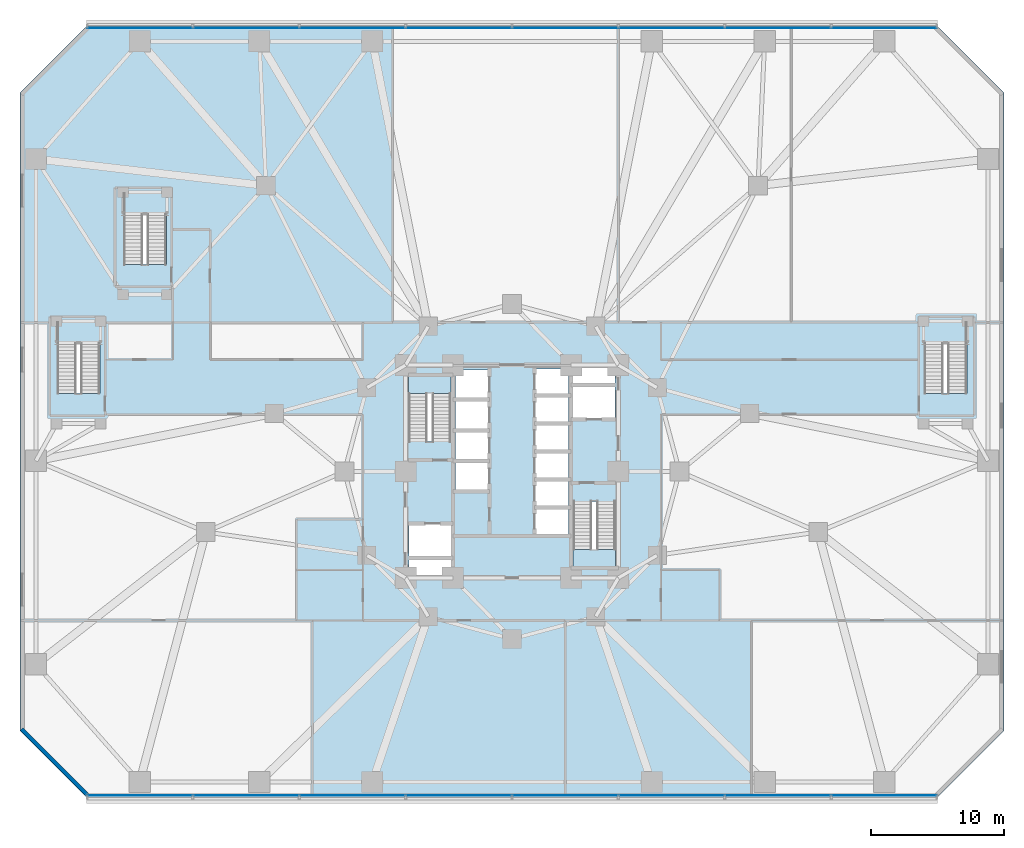
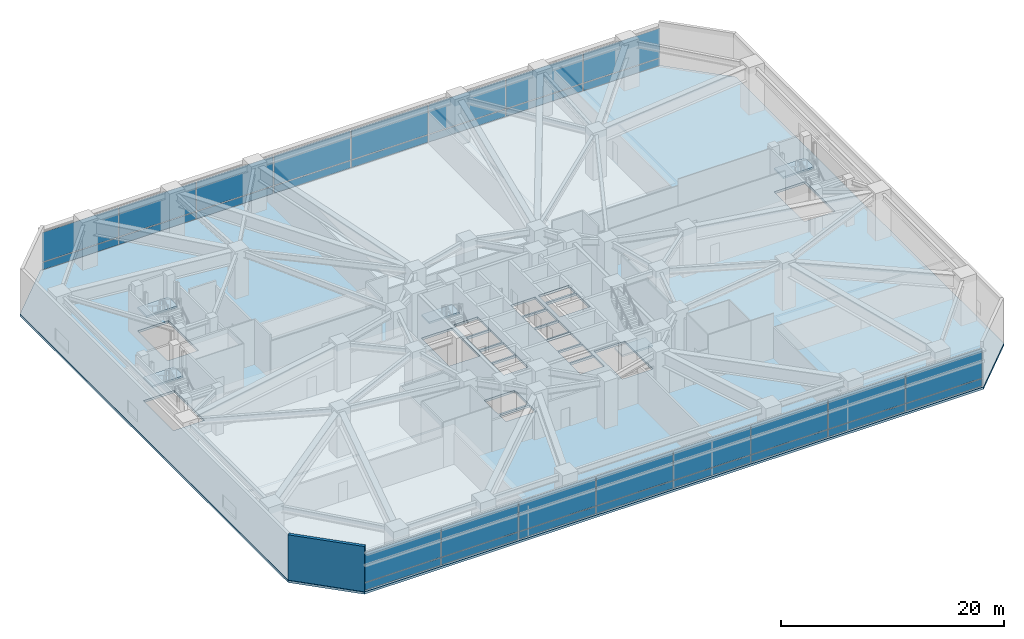
# One storey, part 14 of 28: 32 plates, 6 slabs, 1 wall, 7 elements without a shape of their own.
"""IFC4 building model written with IfcOpenShell, lengths in metres."""

from ifc_helpers import new_model, si_unit, direction, frame, frame_2d, origin, origin_2d, place, context, subcontext, project, spatial, polyline, rectangle, outline, extrude, material, layer, layer_set, type_object, element, aggregate, save


model = new_model("IFC4")

# Units and contexts
model_context = context("Model", 3, precision=1e-05, world=origin(), true_north=direction((0.0, 1.0)))
body_context = subcontext(model_context, "Body", "Model", "MODEL_VIEW")
ifc_project = project(units=[si_unit("LENGTHUNIT", "METRE"), si_unit("AREAUNIT", "SQUARE_METRE"), si_unit("VOLUMEUNIT", "CUBIC_METRE"), si_unit("PLANEANGLEUNIT", "RADIAN"), si_unit("MASSUNIT", "GRAM", prefix="KILO")], contexts=[model_context])

# Site, building, storey
site_placement = place(None, origin())
site = spatial("IfcSite", under=ifc_project, at=site_placement, CompositionType="ELEMENT")
building_placement = place(site_placement, origin())
building = spatial("IfcBuilding", under=site, at=building_placement, Name="Terralouvre Media Tower", CompositionType="ELEMENT")
storey_placement = place(building_placement, frame((0.0, 0.0, 10.39990234375)))
storey = spatial("IfcBuildingStorey", under=building, at=storey_placement, Name="L02", CompositionType="ELEMENT", Elevation=10.39990234375)

# Slab
ifc_material_1 = material(Name="Concrete C45/55", Category="concrete")
ifc_layer_1 = layer(ifc_material_1, 0.25, Name="Podium Acoustic Studio Slab S-POD250")
ifc_layer_set_1 = layer_set([ifc_layer_1], Name="Concrete C45/55")
slab_type_1 = type_object("IfcSlabType", Name="Podium Acoustic Studio Slab S-POD250", PredefinedType="FLOOR", material=ifc_layer_set_1)
slab_1_placement = place(storey_placement, frame((0.0, 0.0, -0.25)))
element("IfcSlab", 1, at=slab_1_placement, inside=storey, type_object=slab_type_1, Name="L02 Structural Floor Slab", PredefinedType="FLOOR", context=body_context, shape_type="SweptSolid", body=[
    extrude(outline(polyline([(-32.0, -24.5), (32.0, -24.5), (37.0, -19.5), (37.0, 28.5), (32.0, 33.5), (-32.0, 33.5), (-37.0, 28.5), (-37.0, -19.5), (-32.0, -24.5)]), holes=[polyline([(-4.60009765625, -7.800048828125), (-7.75, -7.800048828125), (-7.75, -6.60009765625), (-4.60009765625, -6.60009765625), (-4.60009765625, -7.800048828125)]), polyline([(-4.60009765625, -6.39990234375), (-7.75, -6.39990234375), (-7.75, -3.949951171875), (-4.60009765625, -3.949951171875), (-4.60009765625, -6.39990234375)]), polyline([(-1.75, -1.419921875), (-4.25, -1.419921875), (-4.25, 0.719970703125), (-1.75, 0.719970703125), (-1.75, -1.419921875)]), polyline([(4.25, -0.52001953125), (1.75, -0.52001953125), (1.75, 1.419921875), (4.25, 1.419921875), (4.25, -0.52001953125)]), polyline([(-1.75, 0.8798828125), (-4.25, 0.8798828125), (-4.25, 3.02001953125), (-1.75, 3.02001953125), (-1.75, 0.8798828125)]), polyline([(-1.75, 3.179931640625), (-4.25, 3.179931640625), (-4.25, 5.320068359375), (-1.75, 5.320068359375), (-1.75, 3.179931640625)]), polyline([(-4.60009765625, 2.2451171875), (-7.780029296875, 2.2451171875), (-7.780029296875, 7.260009765625), (-4.60009765625, 7.260009765625), (-4.60009765625, 2.2451171875)]), polyline([(-4.25, 5.47998046875), (-4.25, 7.6201171875), (-1.75, 7.6201171875), (-1.75, 5.47998046875), (-4.25, 5.47998046875)]), polyline([(-34.199951171875, 5.875), (-34.199951171875, 11.25), (-31.0, 11.25), (-31.0, 5.875), (-34.199951171875, 5.875)]), polyline([(-26.0, 15.574951171875), (-29.199951171875, 15.574951171875), (-29.199951171875, 20.949951171875), (-26.0, 20.949951171875), (-26.0, 15.574951171875)]), polyline([(4.60009765625, -2.2451171875), (7.780029296875, -2.2451171875), (7.780029296875, -7.260009765625), (4.60009765625, -7.260009765625), (4.60009765625, -2.2451171875)]), polyline([(4.25, -4.719970703125), (1.75, -4.719970703125), (1.75, -2.780029296875), (4.25, -2.780029296875), (4.25, -4.719970703125)]), polyline([(1.75, -2.6201171875), (1.75, -0.679931640625), (4.25, -0.679931640625), (4.25, -2.6201171875), (1.75, -2.6201171875)]), polyline([(1.75, 1.580078125), (1.75, 3.52001953125), (4.25, 3.52001953125), (4.25, 1.580078125), (1.75, 1.580078125)]), polyline([(4.25, 3.679931640625), (1.75, 3.679931640625), (1.75, 5.6201171875), (4.25, 5.6201171875), (4.25, 3.679931640625)]), polyline([(7.75, 3.949951171875), (4.60009765625, 3.949951171875), (4.60009765625, 6.39990234375), (7.75, 6.39990234375), (7.75, 3.949951171875)]), polyline([(4.25, 5.780029296875), (1.75, 5.780029296875), (1.75, 7.719970703125), (4.25, 7.719970703125), (4.25, 5.780029296875)]), polyline([(4.60009765625, 6.60009765625), (4.60009765625, 7.800048828125), (7.75, 7.800048828125), (7.75, 6.60009765625), (4.60009765625, 6.60009765625)]), polyline([(31.0, 5.875), (31.0, 11.25), (34.199951171875, 11.25), (34.199951171875, 5.875), (31.0, 5.875)])]), origin(), (0.0, 0.0, 1.0), 0.25),
])

# Stair, slab
ifc_material_2 = material(Name="Concrete C45/55", Category="concrete")
stair_type_1 = type_object("IfcStairType", Name="Dogleg Stair Assembly ST-01", PredefinedType="HALF_TURN_STAIR", material=ifc_material_2)
stair_1_placement = place(storey_placement, origin())
stair_1 = element("IfcStair", 2, at=stair_1_placement, inside=storey, type_object=stair_type_1, Name="L02 Core Pressurised Exit Stair ST-01", PredefinedType="HALF_TURN_STAIR")
ifc_material_3 = material(Name="Concrete C45/55", Category="concrete")
ifc_layer_2 = layer(ifc_material_3, 0.199951171875, Name="Reinforced Concrete Stair Half-Landing SL-LD1")
ifc_layer_set_2 = layer_set([ifc_layer_2], Name="Concrete C45/55")
slab_type_2 = type_object("IfcSlabType", Name="Reinforced Concrete Stair Half-Landing SL-LD1", PredefinedType="LANDING", material=ifc_layer_set_2)
slab_2_placement = place(storey_placement, frame((0.0, 0.0, 2.400146484375)))
slab_2 = element("IfcSlab", 3, at=slab_2_placement, type_object=slab_type_2, Name="ST-01 landing 1", PredefinedType="LANDING", context=body_context, shape_type="SweptSolid", body=[
    extrude(outline(polyline([(-4.60009765625, 5.860107421875), (-4.60009765625, 7.260009765625), (-7.780029296875, 7.260009765625), (-7.780029296875, 5.860107421875), (-4.60009765625, 5.860107421875)])), origin(), (0.0, 0.0, 1.0), 0.199951171875),
])
aggregate(stair_1, [slab_2])

ifc_material_4 = material(Name="Concrete C45/55", Category="concrete")
stair_type_2 = type_object("IfcStairType", Name="Dogleg Stair Assembly ST-02", PredefinedType="HALF_TURN_STAIR", material=ifc_material_4)
stair_2_placement = place(storey_placement, origin())
stair_2 = element("IfcStair", 4, at=stair_2_placement, inside=storey, type_object=stair_type_2, Name="L02 Core Pressurised Exit Stair ST-02", PredefinedType="HALF_TURN_STAIR")
slab_3_placement = place(storey_placement, frame((0.0, 0.0, 2.400146484375)))
slab_3 = element("IfcSlab", 5, at=slab_3_placement, type_object=slab_type_2, Name="ST-02 landing 1", PredefinedType="LANDING", context=body_context, shape_type="SweptSolid", body=[
    extrude(outline(polyline([(4.60009765625, -5.860107421875), (4.60009765625, -7.260009765625), (7.780029296875, -7.260009765625), (7.780029296875, -5.860107421875), (4.60009765625, -5.860107421875)])), origin(), (0.0, 0.0, 1.0), 0.199951171875),
])
aggregate(stair_2, [slab_3])

ifc_material_5 = material(Name="Concrete C45/55", Category="concrete")
stair_type_3 = type_object("IfcStairType", Name="Dogleg Stair Assembly ST-03", PredefinedType="HALF_TURN_STAIR", material=ifc_material_5)
stair_3_placement = place(storey_placement, origin())
stair_3 = element("IfcStair", 6, at=stair_3_placement, inside=storey, type_object=stair_type_3, Name="L02 West Podium Exit Stair ST-03", PredefinedType="HALF_TURN_STAIR")
slab_4_placement = place(storey_placement, frame((0.0, 0.0, 2.400146484375)))
slab_4 = element("IfcSlab", 7, at=slab_4_placement, type_object=slab_type_2, Name="ST-03 landing 1", PredefinedType="LANDING", context=body_context, shape_type="SweptSolid", body=[
    extrude(outline(polyline([(-31.0, 9.6298828125), (-31.0, 11.25), (-34.199951171875, 11.25), (-34.199951171875, 9.6298828125), (-31.0, 9.6298828125)])), origin(), (0.0, 0.0, 1.0), 0.199951171875),
])
aggregate(stair_3, [slab_4])

ifc_material_6 = material(Name="Concrete C45/55", Category="concrete")
stair_type_4 = type_object("IfcStairType", Name="Dogleg Stair Assembly ST-04", PredefinedType="HALF_TURN_STAIR", material=ifc_material_6)
stair_4_placement = place(storey_placement, origin())
stair_4 = element("IfcStair", 8, at=stair_4_placement, inside=storey, type_object=stair_type_4, Name="L02 East Podium Exit Stair ST-04", PredefinedType="HALF_TURN_STAIR")
slab_5_placement = place(storey_placement, frame((0.0, 0.0, 2.400146484375)))
slab_5 = element("IfcSlab", 9, at=slab_5_placement, type_object=slab_type_2, Name="ST-04 landing 1", PredefinedType="LANDING", context=body_context, shape_type="SweptSolid", body=[
    extrude(outline(polyline([(34.199951171875, 9.6298828125), (34.199951171875, 11.25), (31.0, 11.25), (31.0, 9.6298828125), (34.199951171875, 9.6298828125)])), origin(), (0.0, 0.0, 1.0), 0.199951171875),
])
aggregate(stair_4, [slab_5])

ifc_material_7 = material(Name="Concrete C45/55", Category="concrete")
stair_type_5 = type_object("IfcStairType", Name="Dogleg Stair Assembly ST-06", PredefinedType="HALF_TURN_STAIR", material=ifc_material_7)
stair_5_placement = place(storey_placement, origin())
stair_5 = element("IfcStair", 10, at=stair_5_placement, inside=storey, type_object=stair_type_5, Name="L02 Podium Garden Visitor Stair ST-06", PredefinedType="HALF_TURN_STAIR")
slab_6_placement = place(storey_placement, frame((0.0, 0.0, 2.400146484375)))
slab_6 = element("IfcSlab", 11, at=slab_6_placement, type_object=slab_type_2, Name="ST-06 landing 1", PredefinedType="LANDING", context=body_context, shape_type="SweptSolid", body=[
    extrude(outline(polyline([(-26.0, 19.330078125), (-26.0, 20.949951171875), (-29.199951171875, 20.949951171875), (-29.199951171875, 19.330078125), (-26.0, 19.330078125)])), origin(), (0.0, 0.0, 1.0), 0.199951171875),
])
aggregate(stair_5, [slab_6])

# Curtain wall, plates
ifc_material_8 = material(Name="Low-iron laminated double glazing with solar-control coating", Category="glass")
ifc_layer_3 = layer(ifc_material_8, 0.1650390625, Name="Podium Broadcast Gallery Glazing CW-01")
ifc_layer_set_3 = layer_set([ifc_layer_3], Name="Low-iron laminated double glazing with solar-control coating")
curtain_wall_type = type_object("IfcCurtainWallType", Name="Podium Broadcast Gallery Glazing CW-01", PredefinedType="NOTDEFINED", material=ifc_layer_set_3)
curtain_wall_1_placement = place(storey_placement, origin())
curtain_wall_1 = element("IfcCurtainWall", 12, at=curtain_wall_1_placement, inside=storey, type_object=curtain_wall_type, Name="L02 Podium Curtain Wall F0", PredefinedType="NOTDEFINED")
ifc_material_9 = material(Name="Low-iron laminated double glazing with solar-control coating", Category="glass")
ifc_layer_4 = layer(ifc_material_9, 0.035888671875, Name="Vision Double-Glazed Unit CWP-01")
ifc_layer_set_4 = layer_set([ifc_layer_4], Name="Low-iron laminated double glazing with solar-control coating")
plate_type = type_object("IfcPlateType", Name="Vision Double-Glazed Unit CWP-01", PredefinedType="CURTAIN_PANEL", material=ifc_layer_set_4)
plate_1_placement = place(storey_placement, frame((-27.981201171875, -24.360107421875, 0.074951171875), z_axis=(0.0, 0.0, 1.0), x_axis=(1.0, 0.0, 0.0)))
plate_1 = element("IfcPlate", 13, at=plate_1_placement, type_object=plate_type, Name="CW-01 panel 1.1", PredefinedType="CURTAIN_PANEL", context=body_context, shape_type="SweptSolid", body=[
    extrude(rectangle(XDim=7.887451171875, YDim=0.035888671875, at=origin_2d()), origin(), (0.0, 0.0, 1.0), 0.78759765625),
])
plate_2_placement = place(storey_placement, frame((-27.981201171875, -24.360107421875, 0.9375), z_axis=(0.0, 0.0, 1.0), x_axis=(1.0, 0.0, 0.0)))
plate_2 = element("IfcPlate", 14, at=plate_2_placement, type_object=plate_type, Name="CW-01 panel 1.2", PredefinedType="CURTAIN_PANEL", context=body_context, shape_type="SweptSolid", body=[
    extrude(rectangle(XDim=7.887451171875, YDim=0.035888671875, at=origin_2d()), origin(), (0.0, 0.0, 1.0), 3.217529296875),
])
plate_3_placement = place(storey_placement, frame((-20.0, -24.360107421875, 0.074951171875), z_axis=(0.0, 0.0, 1.0), x_axis=(1.0, 0.0, 0.0)))
plate_3 = element("IfcPlate", 15, at=plate_3_placement, type_object=plate_type, Name="CW-01 panel 2.1", PredefinedType="CURTAIN_PANEL", context=body_context, shape_type="SweptSolid", body=[
    extrude(rectangle(XDim=7.925048828125, YDim=0.035888671875, at=origin_2d()), origin(), (0.0, 0.0, 1.0), 0.78759765625),
])
plate_4_placement = place(storey_placement, frame((-20.0, -24.360107421875, 0.9375), z_axis=(0.0, 0.0, 1.0), x_axis=(1.0, 0.0, 0.0)))
plate_4 = element("IfcPlate", 16, at=plate_4_placement, type_object=plate_type, Name="CW-01 panel 2.2", PredefinedType="CURTAIN_PANEL", context=body_context, shape_type="SweptSolid", body=[
    extrude(rectangle(XDim=7.925048828125, YDim=0.035888671875, at=origin_2d()), origin(), (0.0, 0.0, 1.0), 3.217529296875),
])
plate_5_placement = place(storey_placement, frame((-12.0, -24.360107421875, 0.074951171875), z_axis=(0.0, 0.0, 1.0), x_axis=(1.0, 0.0, 0.0)))
plate_5 = element("IfcPlate", 17, at=plate_5_placement, type_object=plate_type, Name="CW-01 panel 3.1", PredefinedType="CURTAIN_PANEL", context=body_context, shape_type="SweptSolid", body=[
    extrude(rectangle(XDim=7.925048828125, YDim=0.035888671875, at=origin_2d()), origin(), (0.0, 0.0, 1.0), 0.78759765625),
])
plate_6_placement = place(storey_placement, frame((-12.0, -24.360107421875, 0.9375), z_axis=(0.0, 0.0, 1.0), x_axis=(1.0, 0.0, 0.0)))
plate_6 = element("IfcPlate", 18, at=plate_6_placement, type_object=plate_type, Name="CW-01 panel 3.2", PredefinedType="CURTAIN_PANEL", context=body_context, shape_type="SweptSolid", body=[
    extrude(rectangle(XDim=7.925048828125, YDim=0.035888671875, at=origin_2d()), origin(), (0.0, 0.0, 1.0), 3.217529296875),
])
plate_7_placement = place(storey_placement, frame((-4.0, -24.360107421875, 0.074951171875), z_axis=(0.0, 0.0, 1.0), x_axis=(1.0, 0.0, 0.0)))
plate_7 = element("IfcPlate", 19, at=plate_7_placement, type_object=plate_type, Name="CW-01 panel 4.1", PredefinedType="CURTAIN_PANEL", context=body_context, shape_type="SweptSolid", body=[
    extrude(rectangle(XDim=7.925048828125, YDim=0.035888671875, at=origin_2d()), origin(), (0.0, 0.0, 1.0), 0.78759765625),
])
plate_8_placement = place(storey_placement, frame((-4.0, -24.360107421875, 0.9375), z_axis=(0.0, 0.0, 1.0), x_axis=(1.0, 0.0, 0.0)))
plate_8 = element("IfcPlate", 20, at=plate_8_placement, type_object=plate_type, Name="CW-01 panel 4.2", PredefinedType="CURTAIN_PANEL", context=body_context, shape_type="SweptSolid", body=[
    extrude(rectangle(XDim=7.925048828125, YDim=0.035888671875, at=origin_2d()), origin(), (0.0, 0.0, 1.0), 3.217529296875),
])
plate_9_placement = place(storey_placement, frame((4.0, -24.360107421875, 0.074951171875), z_axis=(0.0, 0.0, 1.0), x_axis=(1.0, 0.0, 0.0)))
plate_9 = element("IfcPlate", 21, at=plate_9_placement, type_object=plate_type, Name="CW-01 panel 5.1", PredefinedType="CURTAIN_PANEL", context=body_context, shape_type="SweptSolid", body=[
    extrude(rectangle(XDim=7.925048828125, YDim=0.035888671875, at=origin_2d()), origin(), (0.0, 0.0, 1.0), 0.78759765625),
])
plate_10_placement = place(storey_placement, frame((4.0, -24.360107421875, 0.9375), z_axis=(0.0, 0.0, 1.0), x_axis=(1.0, 0.0, 0.0)))
plate_10 = element("IfcPlate", 22, at=plate_10_placement, type_object=plate_type, Name="CW-01 panel 5.2", PredefinedType="CURTAIN_PANEL", context=body_context, shape_type="SweptSolid", body=[
    extrude(rectangle(XDim=7.925048828125, YDim=0.035888671875, at=origin_2d()), origin(), (0.0, 0.0, 1.0), 3.217529296875),
])
plate_11_placement = place(storey_placement, frame((12.0, -24.360107421875, 0.074951171875), z_axis=(0.0, 0.0, 1.0), x_axis=(1.0, 0.0, 0.0)))
plate_11 = element("IfcPlate", 23, at=plate_11_placement, type_object=plate_type, Name="CW-01 panel 6.1", PredefinedType="CURTAIN_PANEL", context=body_context, shape_type="SweptSolid", body=[
    extrude(rectangle(XDim=7.925048828125, YDim=0.035888671875, at=origin_2d()), origin(), (0.0, 0.0, 1.0), 0.78759765625),
])
plate_12_placement = place(storey_placement, frame((12.0, -24.360107421875, 0.9375), z_axis=(0.0, 0.0, 1.0), x_axis=(1.0, 0.0, 0.0)))
plate_12 = element("IfcPlate", 24, at=plate_12_placement, type_object=plate_type, Name="CW-01 panel 6.2", PredefinedType="CURTAIN_PANEL", context=body_context, shape_type="SweptSolid", body=[
    extrude(rectangle(XDim=7.925048828125, YDim=0.035888671875, at=origin_2d()), origin(), (0.0, 0.0, 1.0), 3.217529296875),
])
plate_13_placement = place(storey_placement, frame((20.0, -24.360107421875, 0.074951171875), z_axis=(0.0, 0.0, 1.0), x_axis=(1.0, 0.0, 0.0)))
plate_13 = element("IfcPlate", 25, at=plate_13_placement, type_object=plate_type, Name="CW-01 panel 7.1", PredefinedType="CURTAIN_PANEL", context=body_context, shape_type="SweptSolid", body=[
    extrude(rectangle(XDim=7.925048828125, YDim=0.035888671875, at=origin_2d()), origin(), (0.0, 0.0, 1.0), 0.78759765625),
])
plate_14_placement = place(storey_placement, frame((20.0, -24.360107421875, 0.9375), z_axis=(0.0, 0.0, 1.0), x_axis=(1.0, 0.0, 0.0)))
plate_14 = element("IfcPlate", 26, at=plate_14_placement, type_object=plate_type, Name="CW-01 panel 7.2", PredefinedType="CURTAIN_PANEL", context=body_context, shape_type="SweptSolid", body=[
    extrude(rectangle(XDim=7.925048828125, YDim=0.035888671875, at=origin_2d()), origin(), (0.0, 0.0, 1.0), 3.217529296875),
])
plate_15_placement = place(storey_placement, frame((27.981201171875, -24.360107421875, 0.074951171875), z_axis=(0.0, 0.0, 1.0), x_axis=(1.0, 0.0, 0.0)))
plate_15 = element("IfcPlate", 27, at=plate_15_placement, type_object=plate_type, Name="CW-01 panel 8.1", PredefinedType="CURTAIN_PANEL", context=body_context, shape_type="SweptSolid", body=[
    extrude(rectangle(XDim=7.887451171875, YDim=0.035888671875, at=origin_2d()), origin(), (0.0, 0.0, 1.0), 0.78759765625),
])
plate_16_placement = place(storey_placement, frame((27.981201171875, -24.360107421875, 0.9375), z_axis=(0.0, 0.0, 1.0), x_axis=(1.0, 0.0, 0.0)))
plate_16 = element("IfcPlate", 28, at=plate_16_placement, type_object=plate_type, Name="CW-01 panel 8.2", PredefinedType="CURTAIN_PANEL", context=body_context, shape_type="SweptSolid", body=[
    extrude(rectangle(XDim=7.887451171875, YDim=0.035888671875, at=origin_2d()), origin(), (0.0, 0.0, 1.0), 3.217529296875),
])
aggregate(curtain_wall_1, [plate_1, plate_2, plate_3, plate_4, plate_5, plate_6, plate_7, plate_8, plate_9, plate_10, plate_11, plate_12, plate_13, plate_14, plate_15, plate_16])

curtain_wall_2_placement = place(storey_placement, origin())
curtain_wall_2 = element("IfcCurtainWall", 29, at=curtain_wall_2_placement, inside=storey, type_object=curtain_wall_type, Name="L02 Podium Curtain Wall F4", PredefinedType="NOTDEFINED")
plate_17_placement = place(storey_placement, frame((27.981201171875, 33.360107421875, 0.074951171875), z_axis=(0.0, 0.0, 1.0), x_axis=(-1.0, 0.0, 0.0)))
plate_17 = element("IfcPlate", 30, at=plate_17_placement, type_object=plate_type, Name="CW-01 panel 1.1", PredefinedType="CURTAIN_PANEL", context=body_context, shape_type="SweptSolid", body=[
    extrude(rectangle(XDim=7.887451171875, YDim=0.035888671875, at=origin_2d()), origin(), (0.0, 0.0, 1.0), 0.78759765625),
])
plate_18_placement = place(storey_placement, frame((27.981201171875, 33.360107421875, 0.9375), z_axis=(0.0, 0.0, 1.0), x_axis=(-1.0, 0.0, 0.0)))
plate_18 = element("IfcPlate", 31, at=plate_18_placement, type_object=plate_type, Name="CW-01 panel 1.2", PredefinedType="CURTAIN_PANEL", context=body_context, shape_type="SweptSolid", body=[
    extrude(rectangle(XDim=7.887451171875, YDim=0.035888671875, at=origin_2d()), origin(), (0.0, 0.0, 1.0), 3.217529296875),
])
plate_19_placement = place(storey_placement, frame((20.0, 33.360107421875, 0.074951171875), z_axis=(0.0, 0.0, 1.0), x_axis=(-1.0, 0.0, 0.0)))
plate_19 = element("IfcPlate", 32, at=plate_19_placement, type_object=plate_type, Name="CW-01 panel 2.1", PredefinedType="CURTAIN_PANEL", context=body_context, shape_type="SweptSolid", body=[
    extrude(rectangle(XDim=7.925048828125, YDim=0.035888671875, at=origin_2d()), origin(), (0.0, 0.0, 1.0), 0.78759765625),
])
plate_20_placement = place(storey_placement, frame((20.0, 33.360107421875, 0.9375), z_axis=(0.0, 0.0, 1.0), x_axis=(-1.0, 0.0, 0.0)))
plate_20 = element("IfcPlate", 33, at=plate_20_placement, type_object=plate_type, Name="CW-01 panel 2.2", PredefinedType="CURTAIN_PANEL", context=body_context, shape_type="SweptSolid", body=[
    extrude(rectangle(XDim=7.925048828125, YDim=0.035888671875, at=origin_2d()), origin(), (0.0, 0.0, 1.0), 3.217529296875),
])
plate_21_placement = place(storey_placement, frame((12.0, 33.360107421875, 0.074951171875), z_axis=(0.0, 0.0, 1.0), x_axis=(-1.0, 0.0, 0.0)))
plate_21 = element("IfcPlate", 34, at=plate_21_placement, type_object=plate_type, Name="CW-01 panel 3.1", PredefinedType="CURTAIN_PANEL", context=body_context, shape_type="SweptSolid", body=[
    extrude(rectangle(XDim=7.925048828125, YDim=0.035888671875, at=origin_2d()), origin(), (0.0, 0.0, 1.0), 0.78759765625),
])
plate_22_placement = place(storey_placement, frame((12.0, 33.360107421875, 0.9375), z_axis=(0.0, 0.0, 1.0), x_axis=(-1.0, 0.0, 0.0)))
plate_22 = element("IfcPlate", 35, at=plate_22_placement, type_object=plate_type, Name="CW-01 panel 3.2", PredefinedType="CURTAIN_PANEL", context=body_context, shape_type="SweptSolid", body=[
    extrude(rectangle(XDim=7.925048828125, YDim=0.035888671875, at=origin_2d()), origin(), (0.0, 0.0, 1.0), 3.217529296875),
])
plate_23_placement = place(storey_placement, frame((4.0, 33.360107421875, 0.074951171875), z_axis=(0.0, 0.0, 1.0), x_axis=(-1.0, 0.0, 0.0)))
plate_23 = element("IfcPlate", 36, at=plate_23_placement, type_object=plate_type, Name="CW-01 panel 4.1", PredefinedType="CURTAIN_PANEL", context=body_context, shape_type="SweptSolid", body=[
    extrude(rectangle(XDim=7.925048828125, YDim=0.035888671875, at=origin_2d()), origin(), (0.0, 0.0, 1.0), 0.78759765625),
])
plate_24_placement = place(storey_placement, frame((4.0, 33.360107421875, 0.9375), z_axis=(0.0, 0.0, 1.0), x_axis=(-1.0, 0.0, 0.0)))
plate_24 = element("IfcPlate", 37, at=plate_24_placement, type_object=plate_type, Name="CW-01 panel 4.2", PredefinedType="CURTAIN_PANEL", context=body_context, shape_type="SweptSolid", body=[
    extrude(rectangle(XDim=7.925048828125, YDim=0.035888671875, at=origin_2d()), origin(), (0.0, 0.0, 1.0), 3.217529296875),
])
plate_25_placement = place(storey_placement, frame((-4.0, 33.360107421875, 0.074951171875), z_axis=(0.0, 0.0, 1.0), x_axis=(-1.0, 0.0, 0.0)))
plate_25 = element("IfcPlate", 38, at=plate_25_placement, type_object=plate_type, Name="CW-01 panel 5.1", PredefinedType="CURTAIN_PANEL", context=body_context, shape_type="SweptSolid", body=[
    extrude(rectangle(XDim=7.925048828125, YDim=0.035888671875, at=origin_2d()), origin(), (0.0, 0.0, 1.0), 0.78759765625),
])
plate_26_placement = place(storey_placement, frame((-4.0, 33.360107421875, 0.9375), z_axis=(0.0, 0.0, 1.0), x_axis=(-1.0, 0.0, 0.0)))
plate_26 = element("IfcPlate", 39, at=plate_26_placement, type_object=plate_type, Name="CW-01 panel 5.2", PredefinedType="CURTAIN_PANEL", context=body_context, shape_type="SweptSolid", body=[
    extrude(rectangle(XDim=7.925048828125, YDim=0.035888671875, at=origin_2d()), origin(), (0.0, 0.0, 1.0), 3.217529296875),
])
plate_27_placement = place(storey_placement, frame((-12.0, 33.360107421875, 0.074951171875), z_axis=(0.0, 0.0, 1.0), x_axis=(-1.0, 0.0, 0.0)))
plate_27 = element("IfcPlate", 40, at=plate_27_placement, type_object=plate_type, Name="CW-01 panel 6.1", PredefinedType="CURTAIN_PANEL", context=body_context, shape_type="SweptSolid", body=[
    extrude(rectangle(XDim=7.925048828125, YDim=0.035888671875, at=origin_2d()), origin(), (0.0, 0.0, 1.0), 0.78759765625),
])
plate_28_placement = place(storey_placement, frame((-12.0, 33.360107421875, 0.9375), z_axis=(0.0, 0.0, 1.0), x_axis=(-1.0, 0.0, 0.0)))
plate_28 = element("IfcPlate", 41, at=plate_28_placement, type_object=plate_type, Name="CW-01 panel 6.2", PredefinedType="CURTAIN_PANEL", context=body_context, shape_type="SweptSolid", body=[
    extrude(rectangle(XDim=7.925048828125, YDim=0.035888671875, at=origin_2d()), origin(), (0.0, 0.0, 1.0), 3.217529296875),
])
plate_29_placement = place(storey_placement, frame((-20.0, 33.360107421875, 0.074951171875), z_axis=(0.0, 0.0, 1.0), x_axis=(-1.0, 0.0, 0.0)))
plate_29 = element("IfcPlate", 42, at=plate_29_placement, type_object=plate_type, Name="CW-01 panel 7.1", PredefinedType="CURTAIN_PANEL", context=body_context, shape_type="SweptSolid", body=[
    extrude(rectangle(XDim=7.925048828125, YDim=0.035888671875, at=origin_2d()), origin(), (0.0, 0.0, 1.0), 0.78759765625),
])
plate_30_placement = place(storey_placement, frame((-20.0, 33.360107421875, 0.9375), z_axis=(0.0, 0.0, 1.0), x_axis=(-1.0, 0.0, 0.0)))
plate_30 = element("IfcPlate", 43, at=plate_30_placement, type_object=plate_type, Name="CW-01 panel 7.2", PredefinedType="CURTAIN_PANEL", context=body_context, shape_type="SweptSolid", body=[
    extrude(rectangle(XDim=7.925048828125, YDim=0.035888671875, at=origin_2d()), origin(), (0.0, 0.0, 1.0), 3.217529296875),
])
plate_31_placement = place(storey_placement, frame((-27.981201171875, 33.360107421875, 0.074951171875), z_axis=(0.0, 0.0, 1.0), x_axis=(-1.0, 0.0, 0.0)))
plate_31 = element("IfcPlate", 44, at=plate_31_placement, type_object=plate_type, Name="CW-01 panel 8.1", PredefinedType="CURTAIN_PANEL", context=body_context, shape_type="SweptSolid", body=[
    extrude(rectangle(XDim=7.887451171875, YDim=0.035888671875, at=origin_2d()), origin(), (0.0, 0.0, 1.0), 0.78759765625),
])
plate_32_placement = place(storey_placement, frame((-27.981201171875, 33.360107421875, 0.9375), z_axis=(0.0, 0.0, 1.0), x_axis=(-1.0, 0.0, 0.0)))
plate_32 = element("IfcPlate", 45, at=plate_32_placement, type_object=plate_type, Name="CW-01 panel 8.2", PredefinedType="CURTAIN_PANEL", context=body_context, shape_type="SweptSolid", body=[
    extrude(rectangle(XDim=7.887451171875, YDim=0.035888671875, at=origin_2d()), origin(), (0.0, 0.0, 1.0), 3.217529296875),
])
aggregate(curtain_wall_2, [plate_17, plate_18, plate_19, plate_20, plate_21, plate_22, plate_23, plate_24, plate_25, plate_26, plate_27, plate_28, plate_29, plate_30, plate_31, plate_32])

# Wall
ifc_material_10 = material(Name="Kiln-fired architectural terracotta rainscreen cladding", Category="masonry")
ifc_layer_5 = layer(ifc_material_10, 0.300048828125, Name="Podium Acoustic Terracotta Cladding Wall EW-TC300")
ifc_layer_set_5 = layer_set([ifc_layer_5], Name="Kiln-fired architectural terracotta rainscreen cladding")
wall_type = type_object("IfcWallType", Name="Podium Acoustic Terracotta Cladding Wall EW-TC300", PredefinedType="SOLIDWALL", material=ifc_layer_set_5)
wall_placement = place(storey_placement, frame((-36.876220703125, -19.376220703125, 0.0), z_axis=(0.0, 0.0, 1.0), x_axis=(0.707106781187, -0.707106781187, 0.0)))
element("IfcWall", 46, at=wall_placement, inside=storey, type_object=wall_type, Name="L02 Podium Terracotta Wall F7", PredefinedType="SOLIDWALL", context=body_context, shape_type="SweptSolid", body=[
    extrude(rectangle(XDim=7.071044921875, YDim=0.300048828125, at=frame_2d((3.53564453125, 0.0))), origin(), (0.0, 0.0, 1.0), 4.9501953125),
])

save(model, "model.ifc")
